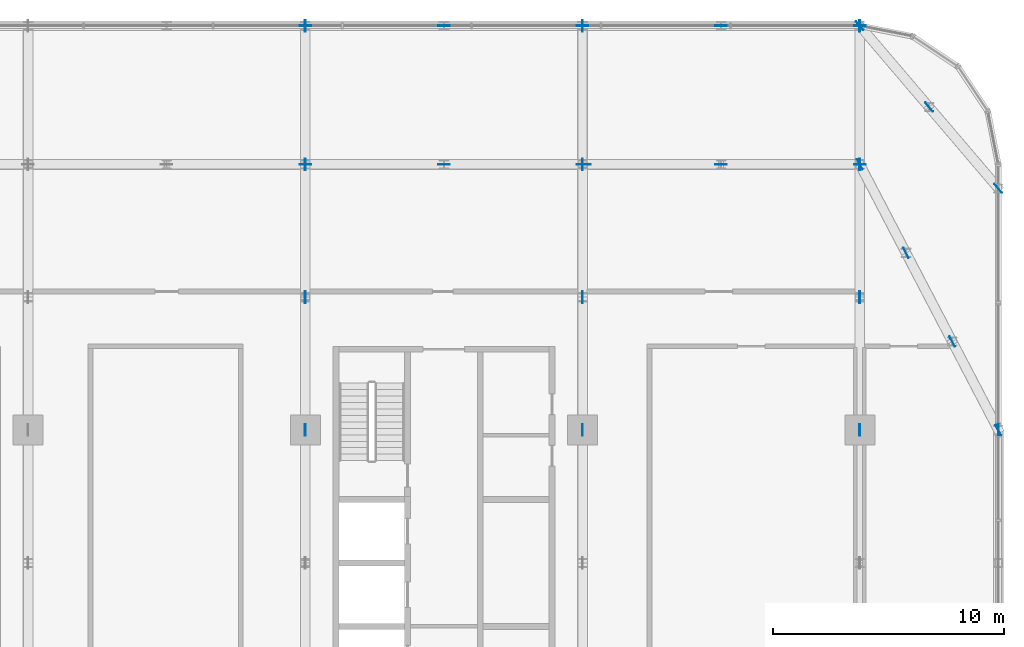
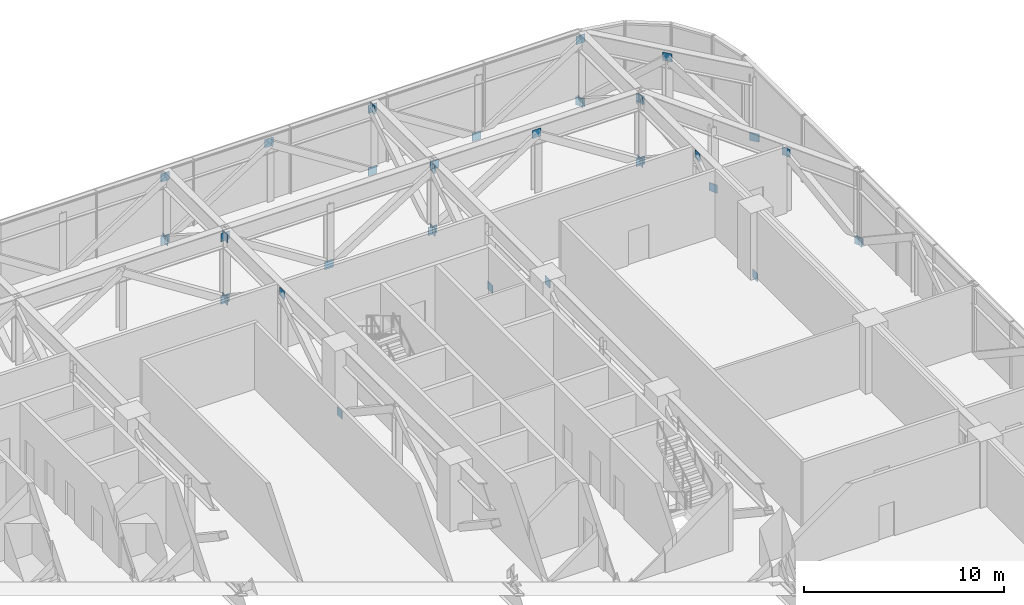
# One storey, part 27 of 30: 37 discrete accessories.
"""IFC4 building model written with IfcOpenShell, lengths in metres."""

import ifcopenshell
import ifcopenshell.guid

model = None  # the IFC model being written
_history = None  # IfcOwnerHistory: only IFC2X3 demands one
_inside = {}  # id of a spatial element -> (the spatial element, [elements in it])
_under = {}  # id of a project, library or spatial element -> (it, [spatial elements below it])
_declared = {}  # id of a project -> (the project, [libraries it declares])
_typed = {}  # id of a type object -> (the type object, [elements of that type])
_made_of = {}  # id of a material, layer set ... -> (it, [elements and type objects made of it])


def new_model(schema):
    """Start an empty IFC model of exactly this schema.

    Asked for "IFC4X3", IfcOpenShell would pick the latest addendum, in which some entities
    have other attributes; the version numbers below select the first issue.
    IFC2X3 requires an IfcOwnerHistory on every rooted entity: one is made here for all.
    """
    global model, _history
    if schema == "IFC4X3":
        model = ifcopenshell.file(schema_version=(4, 3, 0, 0))
    else:
        model = ifcopenshell.file(schema=schema)
    _inside.clear()
    _under.clear()
    _declared.clear()
    _typed.clear()
    _made_of.clear()
    _history = None
    if model.schema == "IFC2X3":
        org = make("IfcOrganization", Name="unknown")
        user = make(
            "IfcPersonAndOrganization",
            ThePerson=make("IfcPerson", FamilyName="unknown"),
            TheOrganization=org,
        )
        app = make(
            "IfcApplication",
            ApplicationDeveloper=org,
            Version="unknown",
            ApplicationFullName="unknown",
            ApplicationIdentifier="unknown",
        )
        _history = make(
            "IfcOwnerHistory",
            OwningUser=user,
            OwningApplication=app,
            ChangeAction="ADDED",
            CreationDate=0,
        )
    return model


def make(cls, **values):
    """One entity of the class cls with the attributes given. An attribute that is None is left unset."""
    return model.create_entity(
        cls, **{name: value for name, value in values.items() if value is not None}
    )


def rooted(cls, **values):
    """An entity with a GlobalId (a new one), such as an element, a storey or a relation."""
    return make(cls, GlobalId=ifcopenshell.guid.new(), OwnerHistory=_history, **values)


def si_unit(unit_type, name, prefix=None):
    """IfcSIUnit, for example si_unit("LENGTHUNIT", "METRE", prefix="MILLI")."""
    return make("IfcSIUnit", UnitType=unit_type, Prefix=prefix, Name=name)


def assignment(units):
    """IfcUnitAssignment: the units of a project."""
    return None if units is None else make("IfcUnitAssignment", Units=units)


def point(xyz):
    """IfcCartesianPoint."""
    return None if xyz is None else make("IfcCartesianPoint", Coordinates=xyz)


def direction(xyz):
    """IfcDirection."""
    return None if xyz is None else make("IfcDirection", DirectionRatios=xyz)


def frame(location, z_axis=None, x_axis=None):
    """IfcAxis2Placement3D, a coordinate frame: its origin and axes. An axis left out is left unset."""
    return make(
        "IfcAxis2Placement3D",
        Location=point(location),
        Axis=direction(z_axis),
        RefDirection=direction(x_axis),
    )


def frame_2d(location, x_axis=None):
    """IfcAxis2Placement2D, a coordinate frame in the plane: its origin and x axis."""
    return make(
        "IfcAxis2Placement2D", Location=point(location), RefDirection=direction(x_axis)
    )


def origin():
    """The frame at (0, 0, 0) with its axes left unset."""
    return frame((0.0, 0.0, 0.0))


def origin_2d():
    """The frame at (0, 0) in the plane with its x axis left unset."""
    return frame_2d((0.0, 0.0))


def place(relative_to, where):
    """IfcLocalPlacement: puts the frame where relative to a parent placement (None: the world)."""
    return make(
        "IfcLocalPlacement", PlacementRelTo=relative_to, RelativePlacement=where
    )


def context(
    kind, dimensions, precision=None, world=None, true_north=None, identifier=None
):
    """IfcGeometricRepresentationContext, for example the 3D "Model" context."""
    return make(
        "IfcGeometricRepresentationContext",
        ContextIdentifier=identifier,
        ContextType=kind,
        CoordinateSpaceDimension=dimensions,
        Precision=precision,
        WorldCoordinateSystem=world,
        TrueNorth=true_north,
    )


def subcontext(parent, identifier, kind, view, scale=None):
    """IfcGeometricRepresentationSubContext, for example "Body" below "Model"."""
    return make(
        "IfcGeometricRepresentationSubContext",
        ContextIdentifier=identifier,
        ContextType=kind,
        ParentContext=parent,
        TargetScale=scale,
        TargetView=view,
    )


def project(units=None, contexts=None):
    """IfcProject with its units and contexts."""
    return rooted(
        "IfcProject",
        Name="project",
        RepresentationContexts=contexts,
        UnitsInContext=assignment(units),
    )


def spatial(cls, under=None, at=None, **own):
    """A site, building, storey or space (cls), placed at a placement, below another one or the project."""
    s = rooted(cls, ObjectPlacement=at, **own)
    if under is not None:
        _under.setdefault(under.id(), (under, []))[1].append(s)
    return s


def profile(cls, at=None, kind="AREA", **sizes):
    """A parametric profile (cls). Its sizes go by their IFC names, for example OverallWidth=200.0."""
    return make(cls, ProfileType=kind, Position=at, **sizes)


def rectangle(**sizes):
    """IfcRectangleProfileDef."""
    return profile("IfcRectangleProfileDef", **sizes)


def extrude(swept, where, along, depth):
    """IfcExtrudedAreaSolid: the profile swept, set in the frame where, extruded along a direction by depth."""
    return make(
        "IfcExtrudedAreaSolid",
        SweptArea=swept,
        Position=where,
        ExtrudedDirection=direction(along),
        Depth=depth,
    )


def shape(context_of_items, identifier, shape_type, items):
    """IfcShapeRepresentation: the items that make up one representation, for example the "Body"."""
    return make(
        "IfcShapeRepresentation",
        ContextOfItems=context_of_items,
        RepresentationIdentifier=identifier,
        RepresentationType=shape_type,
        Items=items,
    )


def material(Name=None, Category=None):
    """IfcMaterial."""
    return make("IfcMaterial", Name=Name, Category=Category)


def layer(
    of_material, thickness, ventilated=None, Name=None, Category=None, Priority=None
):
    """IfcMaterialLayer: one layer of a wall or slab, of a material (None: an air gap)."""
    return make(
        "IfcMaterialLayer",
        Material=of_material,
        LayerThickness=thickness,
        IsVentilated=ventilated,
        Name=Name,
        Category=Category,
        Priority=Priority,
    )


def layer_set(layers, Name=None):
    """IfcMaterialLayerSet."""
    return make("IfcMaterialLayerSet", MaterialLayers=layers, LayerSetName=Name)


def made_of(thing, what):
    """Note that an element or type object is made of a material, layer set ...; save() writes the relation."""
    if what is not None:
        _made_of.setdefault(what.id(), (what, []))[1].append(thing)
    return thing


def type_object(cls, material=None, **own):
    """A type object (cls), such as IfcWallType, which elements share."""
    return made_of(rooted(cls, **own), material)


def element(
    cls,
    number,
    at=None,
    inside=None,
    cuts=None,
    type_object=None,
    material=None,
    context=None,
    identifier="Body",
    shape_type=None,
    held_by="IfcProductDefinitionShape",
    body=None,
    shapes=None,
    **own,
):
    """One element of the class cls, such as IfcWall. Its Tag is "e" and its number.

    at: its placement. inside: the storey or other place that contains it. cuts: it is an
    opening in that element (IfcRelVoidsElement). A single representation is given by context,
    identifier, shape_type and body (its items); several are given by shapes. held_by: the class
    of the entity that holds the representations. save() writes the other relations.
    """
    e = rooted(cls, Tag="e%d" % number, ObjectPlacement=at, **own)
    if body is not None:
        shapes = [shape(context, identifier, shape_type, body)]
    if shapes is not None:
        e.Representation = make(held_by, Representations=shapes)
    if inside is not None:
        _inside.setdefault(inside.id(), (inside, []))[1].append(e)
    if cuts is not None:
        rooted(
            "IfcRelVoidsElement", RelatingBuildingElement=cuts, RelatedOpeningElement=e
        )
    if type_object is not None:
        _typed.setdefault(type_object.id(), (type_object, []))[1].append(e)
    return made_of(e, material)


def aggregate(whole, parts):
    """IfcRelAggregates: a whole, such as a stair, and the parts it consists of."""
    return rooted("IfcRelAggregates", RelatingObject=whole, RelatedObjects=parts)


def save(model, path):
    """Write the relations noted so far, then the file.

    IfcRelAggregates (storeys below a building ...), IfcRelContainedInSpatialStructure (elements
    in a storey), IfcRelDefinesByType, IfcRelAssociatesMaterial and IfcRelDeclares: one each for
    every whole, place, type object, material and project.
    """
    for whole, parts in _under.values():
        aggregate(whole, parts)
    for where, things in _inside.values():
        rooted(
            "IfcRelContainedInSpatialStructure",
            RelatedElements=things,
            RelatingStructure=where,
        )
    for kind, things in _typed.values():
        rooted("IfcRelDefinesByType", RelatedObjects=things, RelatingType=kind)
    for what, things in _made_of.values():
        rooted("IfcRelAssociatesMaterial", RelatedObjects=things, RelatingMaterial=what)
    for by, libraries in _declared.values():
        rooted("IfcRelDeclares", RelatingContext=by, RelatedDefinitions=libraries)
    model.write(path)


model = new_model("IFC4")

# Units and contexts
model_context = context("Model", 3, precision=1e-05, world=origin(), true_north=direction((0.0, 1.0)))
body_context = subcontext(model_context, "Body", "Model", "MODEL_VIEW")
ifc_project = project(units=[si_unit("LENGTHUNIT", "METRE"), si_unit("AREAUNIT", "SQUARE_METRE"), si_unit("VOLUMEUNIT", "CUBIC_METRE"), si_unit("PLANEANGLEUNIT", "RADIAN"), si_unit("MASSUNIT", "GRAM", prefix="KILO")], contexts=[model_context])

# Site, building, storey
site_placement = place(None, origin())
site = spatial("IfcSite", under=ifc_project, at=site_placement, CompositionType="ELEMENT")
building_placement = place(site_placement, origin())
building = spatial("IfcBuilding", under=site, at=building_placement, Name="Mahtab Terrace Research Tower", CompositionType="ELEMENT")
storey_placement = place(building_placement, frame((0.0, 0.0, 154.800048828125)))
storey = spatial("IfcBuildingStorey", under=building, at=storey_placement, Name="L36", CompositionType="ELEMENT", Elevation=154.800048828125)

# Discrete accessories
ifc_material = material(Name="Steel ASTM A992 Gr 50", Category="steel")
ifc_layer = layer(ifc_material, 0.030029296875)
ifc_layer_set = layer_set([ifc_layer], Name="Gusset plate 500x500x30")
discrete_accessory_type = type_object("IfcDiscreteAccessoryType", Name="Gusset plate 500x500x30", PredefinedType="USERDEFINED", material=ifc_layer_set)
for number, where, z_axis, x_axis, name in (
    (1, (18.0, 23.0, -0.567626953125), (0.0, 0.0, 1.0), (1.0, 0.0, 0.0), "Gusset plate"),
    (2, (18.0, 23.0, 3.251220703125), (0.0, 0.0, 1.0), (1.0, 0.0, 0.0), "Gusset plate"),
    (3, (18.0, 29.0, -0.567626953125), (0.0, 0.0, 1.0), (1.0, 0.0, 0.0), "Gusset plate"),
    (4, (18.0, 29.0, 3.251220703125), (0.0, 0.0, 1.0), (1.0, 0.0, 0.0), "Gusset plate"),
    (5, (24.0, 23.0, -0.567626953125), (0.0, 0.0, 1.0), (1.0, 0.0, 0.0), "Gusset plate"),
    (6, (24.0, 29.0, 3.251220703125), (0.0, 0.0, 1.0), (1.0, 0.0, 0.0), "Gusset plate"),
    (7, (30.0, 23.0, -0.567626953125), (0.0, 0.0, 1.0), (1.0, 0.0, 0.0), "Gusset plate"),
    (8, (30.1015625, 23.0, 3.39306640625), (0.0, 0.0, 1.0), (1.0, 0.0, 0.0), "Gusset plate"),
    (9, (30.0, 29.0, -0.567626953125), (0.0, 0.0, 1.0), (1.0, 0.0, 0.0), "Gusset plate"),
    (10, (30.0, 29.0, 3.251220703125), (0.0, 0.0, 1.0), (1.0, 0.0, 0.0), "Gusset plate"),
    (11, (36.0, 23.0, 3.251220703125), (0.0, 0.0, 1.0), (1.0, 0.0, 0.0), "Gusset plate"),
    (12, (36.0, 29.0, -0.567626953125), (0.0, 0.0, 1.0), (1.0, 0.0, 0.0), "Gusset plate"),
    (13, (42.0, 23.0, -0.567626953125), (0.0, 0.0, 1.0), (1.0, 0.0, 0.0), "Gusset plate"),
    (14, (42.0, 29.0, 3.251220703125), (0.0, 0.0, 1.0), (1.0, 0.0, 0.0), "Gusset plate"),
    (15, (18.0, 11.5, -0.567626953125), (0.0, 0.0, 1.0), (0.0, 1.0, 0.0), "Gusset plate"),
    (16, (18.0, 17.25, 3.251220703125), (0.0, 0.0, 1.0), (0.0, 1.0, 0.0), "Gusset plate"),
    (17, (18.0, 23.0, -0.567626953125), (0.0, 0.0, 1.0), (0.0, 1.0, 0.0), "Gusset plate"),
    (18, (18.0, 23.0, 3.251220703125), (0.0, 0.0, 1.0), (0.0, 1.0, 0.0), "Gusset plate"),
    (19, (18.0, 29.0, -0.567626953125), (0.0, 0.0, 1.0), (0.0, 1.0, 0.0), "Gusset plate"),
    (20, (30.0, 11.5, 3.251220703125), (0.0, 0.0, 1.0), (0.0, 1.0, 0.0), "Gusset plate"),
    (21, (30.0, 17.25, -0.567626953125), (0.0, 0.0, 1.0), (0.0, 1.0, 0.0), "Gusset plate"),
    (22, (30.0, 23.0, -0.567626953125), (0.0, 0.0, 1.0), (0.0, 1.0, 0.0), "Gusset plate"),
    (23, (30.0, 23.0, 3.251220703125), (0.0, 0.0, 1.0), (0.0, 1.0, 0.0), "Gusset plate"),
    (24, (30.0, 29.0, 3.251220703125), (0.0, 0.0, 1.0), (0.0, 1.0, 0.0), "Gusset plate"),
    (25, (42.0, 11.5, -0.567626953125), (0.0, 0.0, 1.0), (0.0, 1.0, 0.0), "Gusset plate"),
    (26, (42.0, 17.25, 3.251220703125), (0.0, 0.0, 1.0), (0.0, 1.0, 0.0), "Gusset plate"),
    (27, (42.0, 23.0, -0.567626953125), (0.0, 0.0, 1.0), (0.0, 1.0, 0.0), "Gusset plate"),
    (28, (42.0, 23.0, 3.251220703125), (0.0, 0.0, 1.0), (0.0, 1.0, 0.0), "Gusset plate"),
    (29, (42.0, 29.0, -0.567626953125), (0.0, 0.0, 1.0), (0.0, 1.0, 0.0), "Gusset plate"),
    (30, (48.0, 11.5, -0.567626953125), (0.0, 0.0, 1.0), (0.0, 1.0, 0.0), "Gusset plate"),
    (31, (42.0, 23.0, 3.251220703125), (0.0, 0.0, 1.0), (-0.462599869636, 0.886567177721, 0.0), "Gusset plate"),
    (32, (44.0, 19.1669921875, -0.567626953125), (0.0, 0.0, 1.0), (-0.462599869636, 0.886567177721, 0.0), "Gusset plate"),
    (33, (46.0, 15.3330078125, 3.251220703125), (0.0, 0.0, 1.0), (-0.462507026002, 0.886615616205, 0.0), "Gusset plate"),
    (34, (48.0, 11.5, -0.567626953125), (0.0, 0.0, 1.0), (-0.462599869636, 0.886567177721, 0.0), "Gusset plate"),
    (35, (42.0, 29.0, -0.567626953125), (0.0, 0.0, 1.0), (-0.648757658391, 0.760995072703, 0.0), "Gusset plate"),
    (36, (45.0, 25.48095703125, 3.251220703125), (0.0, 0.0, 1.0), (-0.648757658391, 0.760995072703, 0.0), "Gusset plate"),
    (37, (48.0, 21.9619140625, -0.567626953125), (0.0, 0.0, 1.0), (-0.648757658391, 0.760995072703, 0.0), "Gusset plate"),
):
    element("IfcDiscreteAccessory", number, at=place(storey_placement, frame(where, z_axis=z_axis, x_axis=x_axis)), inside=storey, type_object=discrete_accessory_type, Name=name, ObjectType="GUSSET PLATE", PredefinedType="USERDEFINED", context=body_context, shape_type="SweptSolid", body=[
        extrude(rectangle(XDim=0.5, YDim=0.030029296875, at=origin_2d()), origin(), (0.0, 0.0, 1.0), 0.5),
    ])

save(model, "model.ifc")
